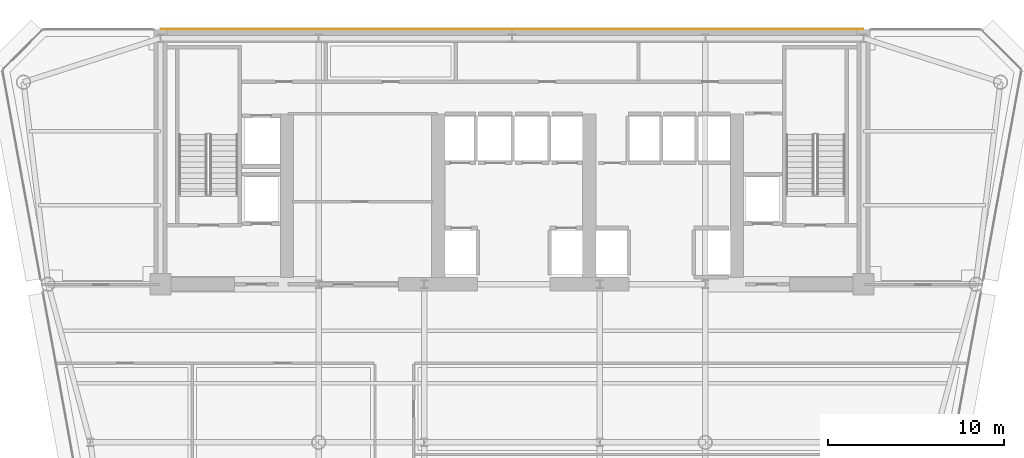
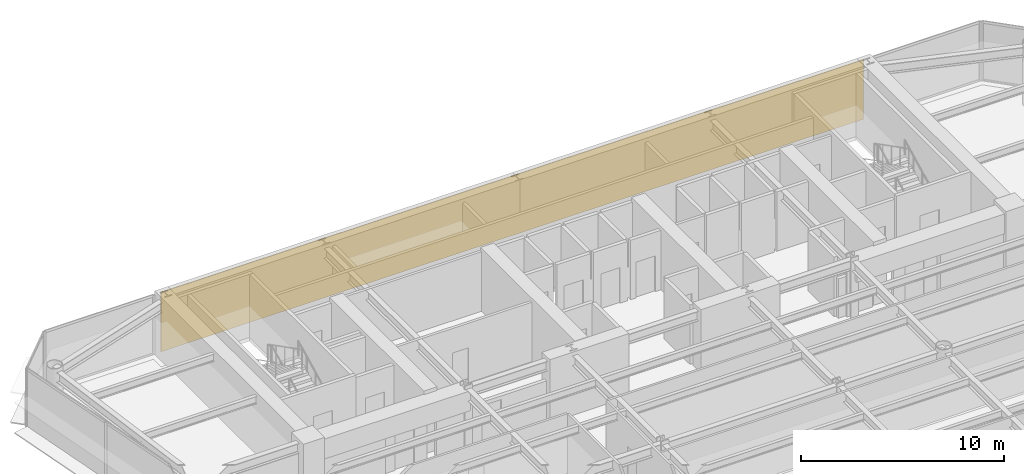
# One storey, part 16 of 17: 1 covering.
"""IFC4 building model written with IfcOpenShell, lengths in metres."""

import ifcopenshell
import ifcopenshell.guid

model = None  # the IFC model being written
_history = None  # IfcOwnerHistory: only IFC2X3 demands one
_inside = {}  # id of a spatial element -> (the spatial element, [elements in it])
_under = {}  # id of a project, library or spatial element -> (it, [spatial elements below it])
_declared = {}  # id of a project -> (the project, [libraries it declares])
_typed = {}  # id of a type object -> (the type object, [elements of that type])
_made_of = {}  # id of a material, layer set ... -> (it, [elements and type objects made of it])


def new_model(schema):
    """Start an empty IFC model of exactly this schema.

    Asked for "IFC4X3", IfcOpenShell would pick the latest addendum, in which some entities
    have other attributes; the version numbers below select the first issue.
    IFC2X3 requires an IfcOwnerHistory on every rooted entity: one is made here for all.
    """
    global model, _history
    if schema == "IFC4X3":
        model = ifcopenshell.file(schema_version=(4, 3, 0, 0))
    else:
        model = ifcopenshell.file(schema=schema)
    _inside.clear()
    _under.clear()
    _declared.clear()
    _typed.clear()
    _made_of.clear()
    _history = None
    if model.schema == "IFC2X3":
        org = make("IfcOrganization", Name="unknown")
        user = make(
            "IfcPersonAndOrganization",
            ThePerson=make("IfcPerson", FamilyName="unknown"),
            TheOrganization=org,
        )
        app = make(
            "IfcApplication",
            ApplicationDeveloper=org,
            Version="unknown",
            ApplicationFullName="unknown",
            ApplicationIdentifier="unknown",
        )
        _history = make(
            "IfcOwnerHistory",
            OwningUser=user,
            OwningApplication=app,
            ChangeAction="ADDED",
            CreationDate=0,
        )
    return model


def make(cls, **values):
    """One entity of the class cls with the attributes given. An attribute that is None is left unset."""
    return model.create_entity(
        cls, **{name: value for name, value in values.items() if value is not None}
    )


def rooted(cls, **values):
    """An entity with a GlobalId (a new one), such as an element, a storey or a relation."""
    return make(cls, GlobalId=ifcopenshell.guid.new(), OwnerHistory=_history, **values)


def si_unit(unit_type, name, prefix=None):
    """IfcSIUnit, for example si_unit("LENGTHUNIT", "METRE", prefix="MILLI")."""
    return make("IfcSIUnit", UnitType=unit_type, Prefix=prefix, Name=name)


def assignment(units):
    """IfcUnitAssignment: the units of a project."""
    return None if units is None else make("IfcUnitAssignment", Units=units)


def point(xyz):
    """IfcCartesianPoint."""
    return None if xyz is None else make("IfcCartesianPoint", Coordinates=xyz)


def direction(xyz):
    """IfcDirection."""
    return None if xyz is None else make("IfcDirection", DirectionRatios=xyz)


def frame(location, z_axis=None, x_axis=None):
    """IfcAxis2Placement3D, a coordinate frame: its origin and axes. An axis left out is left unset."""
    return make(
        "IfcAxis2Placement3D",
        Location=point(location),
        Axis=direction(z_axis),
        RefDirection=direction(x_axis),
    )


def origin():
    """The frame at (0, 0, 0) with its axes left unset."""
    return frame((0.0, 0.0, 0.0))


def place(relative_to, where):
    """IfcLocalPlacement: puts the frame where relative to a parent placement (None: the world)."""
    return make(
        "IfcLocalPlacement", PlacementRelTo=relative_to, RelativePlacement=where
    )


def context(
    kind, dimensions, precision=None, world=None, true_north=None, identifier=None
):
    """IfcGeometricRepresentationContext, for example the 3D "Model" context."""
    return make(
        "IfcGeometricRepresentationContext",
        ContextIdentifier=identifier,
        ContextType=kind,
        CoordinateSpaceDimension=dimensions,
        Precision=precision,
        WorldCoordinateSystem=world,
        TrueNorth=true_north,
    )


def subcontext(parent, identifier, kind, view, scale=None):
    """IfcGeometricRepresentationSubContext, for example "Body" below "Model"."""
    return make(
        "IfcGeometricRepresentationSubContext",
        ContextIdentifier=identifier,
        ContextType=kind,
        ParentContext=parent,
        TargetScale=scale,
        TargetView=view,
    )


def project(units=None, contexts=None):
    """IfcProject with its units and contexts."""
    return rooted(
        "IfcProject",
        Name="project",
        RepresentationContexts=contexts,
        UnitsInContext=assignment(units),
    )


def spatial(cls, under=None, at=None, **own):
    """A site, building, storey or space (cls), placed at a placement, below another one or the project."""
    s = rooted(cls, ObjectPlacement=at, **own)
    if under is not None:
        _under.setdefault(under.id(), (under, []))[1].append(s)
    return s


def polyline(points):
    """IfcPolyline through the points."""
    return make("IfcPolyline", Points=[point(p) for p in points])


def outline(outer, holes=None, kind="AREA"):
    """IfcArbitraryClosedProfileDef: a profile drawn as a closed curve; with holes, ...WithVoids."""
    if holes is None:
        return make("IfcArbitraryClosedProfileDef", ProfileType=kind, OuterCurve=outer)
    return make(
        "IfcArbitraryProfileDefWithVoids",
        ProfileType=kind,
        OuterCurve=outer,
        InnerCurves=holes,
    )


def extrude(swept, where, along, depth):
    """IfcExtrudedAreaSolid: the profile swept, set in the frame where, extruded along a direction by depth."""
    return make(
        "IfcExtrudedAreaSolid",
        SweptArea=swept,
        Position=where,
        ExtrudedDirection=direction(along),
        Depth=depth,
    )


def shape(context_of_items, identifier, shape_type, items):
    """IfcShapeRepresentation: the items that make up one representation, for example the "Body"."""
    return make(
        "IfcShapeRepresentation",
        ContextOfItems=context_of_items,
        RepresentationIdentifier=identifier,
        RepresentationType=shape_type,
        Items=items,
    )


def material(Name=None, Category=None):
    """IfcMaterial."""
    return make("IfcMaterial", Name=Name, Category=Category)


def layer(
    of_material, thickness, ventilated=None, Name=None, Category=None, Priority=None
):
    """IfcMaterialLayer: one layer of a wall or slab, of a material (None: an air gap)."""
    return make(
        "IfcMaterialLayer",
        Material=of_material,
        LayerThickness=thickness,
        IsVentilated=ventilated,
        Name=Name,
        Category=Category,
        Priority=Priority,
    )


def layer_set(layers, Name=None):
    """IfcMaterialLayerSet."""
    return make("IfcMaterialLayerSet", MaterialLayers=layers, LayerSetName=Name)


def made_of(thing, what):
    """Note that an element or type object is made of a material, layer set ...; save() writes the relation."""
    if what is not None:
        _made_of.setdefault(what.id(), (what, []))[1].append(thing)
    return thing


def type_object(cls, material=None, **own):
    """A type object (cls), such as IfcWallType, which elements share."""
    return made_of(rooted(cls, **own), material)


def element(
    cls,
    number,
    at=None,
    inside=None,
    cuts=None,
    type_object=None,
    material=None,
    context=None,
    identifier="Body",
    shape_type=None,
    held_by="IfcProductDefinitionShape",
    body=None,
    shapes=None,
    **own,
):
    """One element of the class cls, such as IfcWall. Its Tag is "e" and its number.

    at: its placement. inside: the storey or other place that contains it. cuts: it is an
    opening in that element (IfcRelVoidsElement). A single representation is given by context,
    identifier, shape_type and body (its items); several are given by shapes. held_by: the class
    of the entity that holds the representations. save() writes the other relations.
    """
    e = rooted(cls, Tag="e%d" % number, ObjectPlacement=at, **own)
    if body is not None:
        shapes = [shape(context, identifier, shape_type, body)]
    if shapes is not None:
        e.Representation = make(held_by, Representations=shapes)
    if inside is not None:
        _inside.setdefault(inside.id(), (inside, []))[1].append(e)
    if cuts is not None:
        rooted(
            "IfcRelVoidsElement", RelatingBuildingElement=cuts, RelatedOpeningElement=e
        )
    if type_object is not None:
        _typed.setdefault(type_object.id(), (type_object, []))[1].append(e)
    return made_of(e, material)


def aggregate(whole, parts):
    """IfcRelAggregates: a whole, such as a stair, and the parts it consists of."""
    return rooted("IfcRelAggregates", RelatingObject=whole, RelatedObjects=parts)


def save(model, path):
    """Write the relations noted so far, then the file.

    IfcRelAggregates (storeys below a building ...), IfcRelContainedInSpatialStructure (elements
    in a storey), IfcRelDefinesByType, IfcRelAssociatesMaterial and IfcRelDeclares: one each for
    every whole, place, type object, material and project.
    """
    for whole, parts in _under.values():
        aggregate(whole, parts)
    for where, things in _inside.values():
        rooted(
            "IfcRelContainedInSpatialStructure",
            RelatedElements=things,
            RelatingStructure=where,
        )
    for kind, things in _typed.values():
        rooted("IfcRelDefinesByType", RelatedObjects=things, RelatingType=kind)
    for what, things in _made_of.values():
        rooted("IfcRelAssociatesMaterial", RelatedObjects=things, RelatingMaterial=what)
    for by, libraries in _declared.values():
        rooted("IfcRelDeclares", RelatingContext=by, RelatedDefinitions=libraries)
    model.write(path)


model = new_model("IFC4")

# Units and contexts
model_context = context("Model", 3, precision=1e-05, world=origin(), true_north=direction((0.0, 1.0)))
body_context = subcontext(model_context, "Body", "Model", "MODEL_VIEW")
ifc_project = project(units=[si_unit("LENGTHUNIT", "METRE"), si_unit("AREAUNIT", "SQUARE_METRE"), si_unit("VOLUMEUNIT", "CUBIC_METRE"), si_unit("PLANEANGLEUNIT", "RADIAN"), si_unit("MASSUNIT", "GRAM", prefix="KILO")], contexts=[model_context])

# Site, building, storey
site_placement = place(None, origin())
site = spatial("IfcSite", under=ifc_project, at=site_placement, CompositionType="ELEMENT")
building_placement = place(site_placement, origin())
building = spatial("IfcBuilding", under=site, at=building_placement, Name="Vaeldorn Concourse Tower", CompositionType="ELEMENT")
storey_placement = place(building_placement, frame((0.0, 0.0, 161.39990234375)))
storey = spatial("IfcBuildingStorey", under=building, at=storey_placement, Name="L41", CompositionType="ELEMENT", Elevation=161.39990234375)

# Covering
ifc_material = material(Name="Anodised Bronze Aluminium", Category="aluminium")
ifc_layer = layer(ifc_material, 0.050048828125)
ifc_layer_set = layer_set([ifc_layer], Name="Anodised Bronze Aluminium")
covering_type = type_object("IfcCoveringType", Name="COV-CLAD-BRONZE", PredefinedType="CLADDING", material=ifc_layer_set)
covering_placement = place(storey_placement, origin())
element("IfcCovering", 1, at=covering_placement, inside=storey, type_object=covering_type, Name="Rear Core Bronze Spandrel Cladding L41", PredefinedType="CLADDING", context=body_context, shape_type="SweptSolid", body=[
    extrude(outline(polyline([(14.0, 51.0), (54.0, 51.0), (54.0, 51.050048828125), (14.0, 51.050048828125), (14.0, 51.0)])), origin(), (0.0, 0.0, 1.0), 3.580078125),
])

save(model, "model.ifc")
